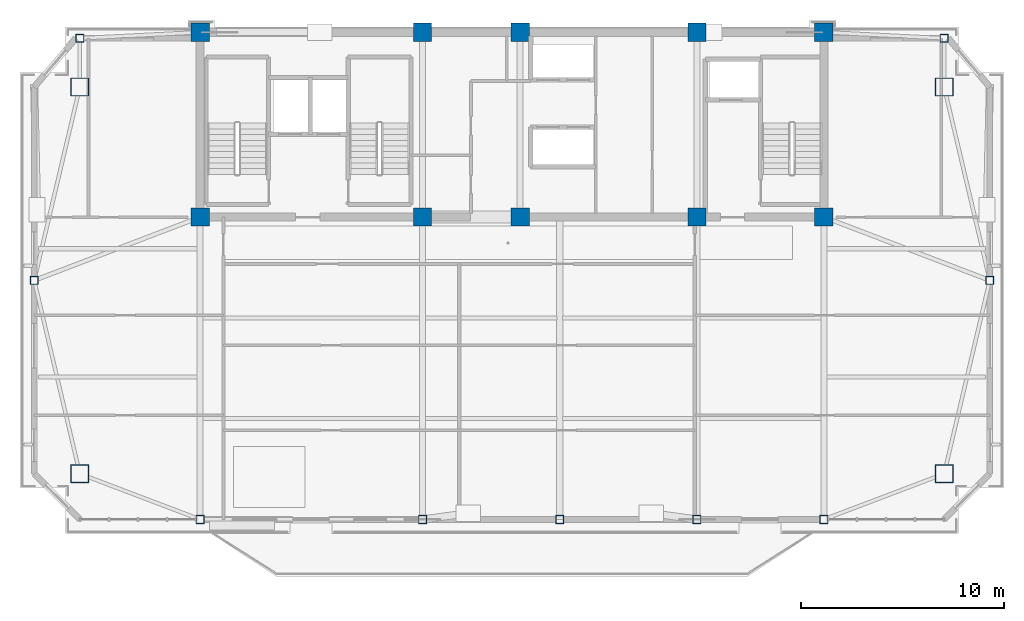
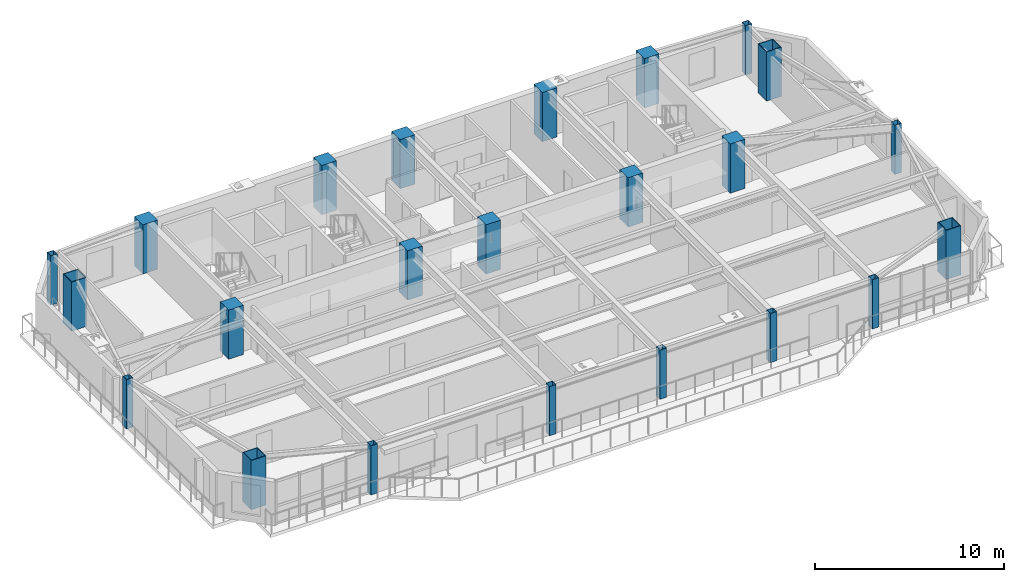
# One storey, part 1 of 13: 23 columns.
"""IFC4 building model written with IfcOpenShell, lengths in metres."""

from ifc_helpers import new_model, si_unit, direction, frame, origin, origin_2d, place, context, subcontext, project, spatial, rectangle, hollow_rectangle, extrude, source, transform, mapped, material, material_profile, profile_set, type_object, element, save


model = new_model("IFC4")

# Units and contexts
model_context = context("Model", 3, precision=1e-05, world=origin(), true_north=direction((0.0, 1.0)))
body_context = subcontext(model_context, "Body", "Model", "MODEL_VIEW")
ifc_project = project(units=[si_unit("LENGTHUNIT", "METRE"), si_unit("AREAUNIT", "SQUARE_METRE"), si_unit("VOLUMEUNIT", "CUBIC_METRE"), si_unit("PLANEANGLEUNIT", "RADIAN"), si_unit("MASSUNIT", "GRAM", prefix="KILO")], contexts=[model_context])

# Site, building, storey
site_placement = place(None, origin())
site = spatial("IfcSite", under=ifc_project, at=site_placement, CompositionType="ELEMENT")
building_placement = place(site_placement, origin())
building = spatial("IfcBuilding", under=site, at=building_placement, Name="Giltprow Tower", CompositionType="ELEMENT")
storey_placement = place(building_placement, frame((0.0, 0.0, 335.699951171875)))
storey = spatial("IfcBuildingStorey", under=building, at=storey_placement, Name="L87", CompositionType="ELEMENT", Elevation=335.699951171875)

# Columns
ifc_material_1 = material(Name="Concrete C45", Category="concrete")
ifc_material_profile_1 = material_profile(ifc_material_1, rectangle(XDim=0.89990234375, YDim=0.89990234375, at=origin_2d()), Name="RC 900x900")
ifc_profile_set_1 = profile_set([ifc_material_profile_1], Name="Concrete C45")
column_type_1 = type_object("IfcColumnType", Name="PIL-RC-900-C45", PredefinedType="PILASTER", material=ifc_profile_set_1)
shared_shape_1 = source(origin(), body_context, "Body", "SweptSolid", [
    extrude(rectangle(XDim=0.89990234375, YDim=0.89990234375, at=origin_2d()), origin(), (0.0, 0.0, 1.0), 3.18505859375),
])
for number, where, z_axis, x_axis, name in (
    (1, (19.85009765625, 37.449951171875, 0.0), (0.0, 0.0, 1.0), (1.0, 0.0, 0.0), "L87 Core Boundary Pilaster 1-1"),
    (2, (19.85009765625, 46.550048828125, 0.0), (0.0, 0.0, 1.0), (1.0, 0.0, 0.0), "L87 Core Boundary Pilaster 1-2"),
    (3, (30.800048828125, 37.449951171875, 0.0), (0.0, 0.0, 1.0), (1.0, 0.0, 0.0), "L87 Core Boundary Pilaster 2-1"),
    (4, (30.800048828125, 46.550048828125, 0.0), (0.0, 0.0, 1.0), (1.0, 0.0, 0.0), "L87 Core Boundary Pilaster 2-2"),
    (5, (35.60009765625, 37.449951171875, 0.0), (0.0, 0.0, 1.0), (1.0, 0.0, 0.0), "L87 Core Boundary Pilaster 3-1"),
    (6, (35.60009765625, 46.550048828125, 0.0), (0.0, 0.0, 1.0), (1.0, 0.0, 0.0), "L87 Core Boundary Pilaster 3-2"),
    (7, (44.300048828125, 37.449951171875, 0.0), (0.0, 0.0, 1.0), (1.0, 0.0, 0.0), "L87 Core Boundary Pilaster 4-1"),
    (8, (44.300048828125, 46.550048828125, 0.0), (0.0, 0.0, 1.0), (1.0, 0.0, 0.0), "L87 Core Boundary Pilaster 4-2"),
    (9, (50.550048828125, 37.449951171875, 0.0), (0.0, 0.0, 1.0), (1.0, 0.0, 0.0), "L87 Core Boundary Pilaster 5-1"),
    (10, (50.550048828125, 46.550048828125, 0.0), (0.0, 0.0, 1.0), (1.0, 0.0, 0.0), "L87 Core Boundary Pilaster 5-2"),
):
    element("IfcColumn", number, at=place(storey_placement, frame(where, z_axis=z_axis, x_axis=x_axis)), inside=storey, type_object=column_type_1, Name=name, PredefinedType="PILASTER", context=body_context, shape_type="MappedRepresentation", body=[
        mapped(shared_shape_1, transform((0.0, 0.0, 0.0), x_axis=(1.0, 0.0, 0.0), y_axis=(0.0, 1.0, 0.0), z_axis=(0.0, 0.0, 1.0), scale=1.0)),
    ])
ifc_material_2 = material(Name="Structural steel Q420GJC", Category="steel")
ifc_material_profile_2 = material_profile(ifc_material_2, hollow_rectangle(XDim=0.89990234375, YDim=0.89990234375, WallThickness=0.0400390625, at=origin_2d()), Name="BOX 900x900x40")
ifc_profile_set_2 = profile_set([ifc_material_profile_2], Name="Structural steel Q420GJC")
column_type_2 = type_object("IfcColumnType", Name="COL-BOX-900x900x40", PredefinedType="COLUMN", material=ifc_profile_set_2)
shared_shape_2 = source(origin(), body_context, "Body", "SweptSolid", [
    extrude(hollow_rectangle(XDim=0.89990234375, YDim=0.89990234375, WallThickness=0.0400390625, at=origin_2d()), origin(), (0.0, 0.0, 1.0), 3.18505859375),
])
for number, where, z_axis, x_axis, name in (
    (11, (13.930908203125, 24.81396484375, 0.0), (0.0, 0.0, 1.0), (1.0, 0.0, 0.0), "L87 Mega-Column MC_SW"),
    (12, (56.468994140625, 24.81396484375, 0.0), (0.0, 0.0, 1.0), (1.0, 0.0, 0.0), "L87 Mega-Column MC_SE"),
    (13, (13.930908203125, 43.85400390625, 0.0), (0.0, 0.0, 1.0), (1.0, 0.0, 0.0), "L87 Mega-Column MC_NW"),
    (14, (56.468994140625, 43.85400390625, 0.0), (0.0, 0.0, 1.0), (1.0, 0.0, 0.0), "L87 Mega-Column MC_NE"),
):
    element("IfcColumn", number, at=place(storey_placement, frame(where, z_axis=z_axis, x_axis=x_axis)), inside=storey, type_object=column_type_2, Name=name, PredefinedType="COLUMN", context=body_context, shape_type="MappedRepresentation", body=[
        mapped(shared_shape_2, transform((0.0, 0.0, 0.0), x_axis=(1.0, 0.0, 0.0), y_axis=(0.0, 1.0, 0.0), z_axis=(0.0, 0.0, 1.0), scale=1.0)),
    ])
ifc_material_3 = material(Name="Structural steel Q355B", Category="steel")
ifc_material_profile_3 = material_profile(ifc_material_3, hollow_rectangle(XDim=0.39990234375, YDim=0.39990234375, WallThickness=0.02001953125, at=origin_2d()), Name="BOX 400x400x20")
ifc_profile_set_3 = profile_set([ifc_material_profile_3], Name="Structural steel Q355B")
column_type_3 = type_object("IfcColumnType", Name="COL-BOX-400x400x20", PredefinedType="COLUMN", material=ifc_profile_set_3)
shared_shape_3 = source(origin(), body_context, "Body", "SweptSolid", [
    extrude(hollow_rectangle(XDim=0.39990234375, YDim=0.39990234375, WallThickness=0.02001953125, at=origin_2d()), origin(), (0.0, 0.0, 1.0), 3.18505859375),
])
for number, where, z_axis, x_axis, name in (
    (15, (19.85009765625, 22.568115234375, 0.0), (0.0, 0.0, 1.0), (1.0, 0.0, 0.0), "L87 Perimeter Column S1"),
    (16, (30.800048828125, 22.568115234375, 0.0), (0.0, 0.0, 1.0), (1.0, 0.0, 0.0), "L87 Perimeter Column S2"),
    (17, (37.550048828125, 22.568115234375, 0.0), (0.0, 0.0, 1.0), (1.0, 0.0, 0.0), "L87 Perimeter Column S_MID"),
    (18, (44.300048828125, 22.568115234375, 0.0), (0.0, 0.0, 1.0), (1.0, 0.0, 0.0), "L87 Perimeter Column S3"),
    (19, (50.550048828125, 22.568115234375, 0.0), (0.0, 0.0, 1.0), (1.0, 0.0, 0.0), "L87 Perimeter Column S4"),
    (20, (11.68505859375, 34.333984375, 0.0), (0.0, 0.0, 1.0), (1.0, 0.0, 0.0), "L87 Perimeter Column W_MID"),
    (21, (58.715087890625, 34.333984375, 0.0), (0.0, 0.0, 1.0), (1.0, 0.0, 0.0), "L87 Perimeter Column E_MID"),
    (22, (13.930908203125, 46.25, 0.0), (0.0, 0.0, 1.0), (1.0, 0.0, 0.0), "L87 Perimeter Column N_W"),
    (23, (56.468994140625, 46.25, 0.0), (0.0, 0.0, 1.0), (1.0, 0.0, 0.0), "L87 Perimeter Column N_E"),
):
    element("IfcColumn", number, at=place(storey_placement, frame(where, z_axis=z_axis, x_axis=x_axis)), inside=storey, type_object=column_type_3, Name=name, PredefinedType="COLUMN", context=body_context, shape_type="MappedRepresentation", body=[
        mapped(shared_shape_3, transform((0.0, 0.0, 0.0), x_axis=(1.0, 0.0, 0.0), y_axis=(0.0, 1.0, 0.0), z_axis=(0.0, 0.0, 1.0), scale=1.0)),
    ])

save(model, "model.ifc")
